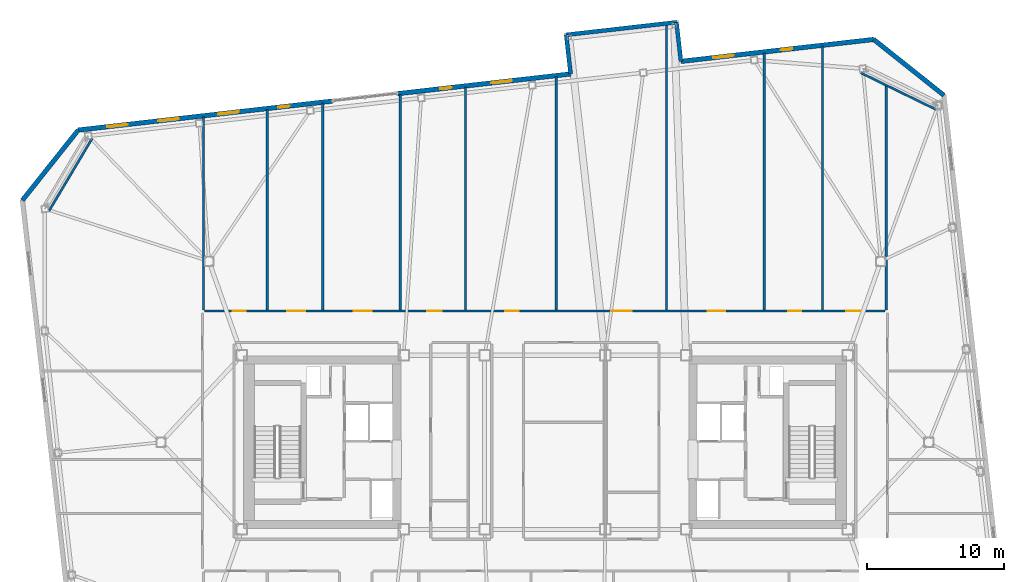
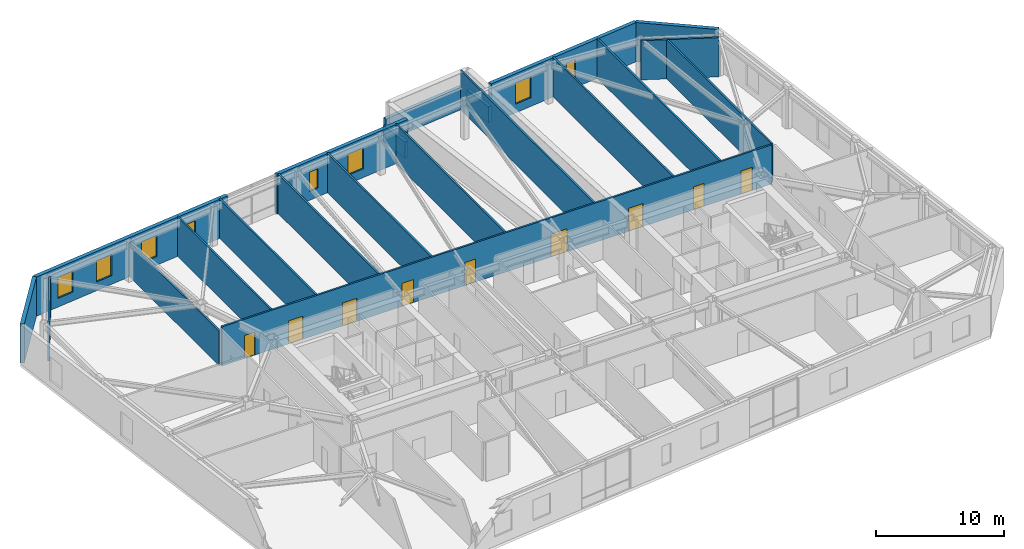
# One storey, part 15 of 19: 21 walls, 9 doors, 8 windows, 17 openings.
"""IFC4 building model written with IfcOpenShell, lengths in metres."""

from ifc_helpers import new_model, si_unit, direction, frame, frame_2d, origin, place, context, subcontext, project, spatial, rectangle, extrude, material, layer, layer_set, type_object, element, fill, save


model = new_model("IFC4")

# Units and contexts
model_context = context("Model", 3, precision=1e-05, world=origin(), true_north=direction((0.0, 1.0)))
body_context = subcontext(model_context, "Body", "Model", "MODEL_VIEW")
ifc_project = project(units=[si_unit("LENGTHUNIT", "METRE"), si_unit("AREAUNIT", "SQUARE_METRE"), si_unit("VOLUMEUNIT", "CUBIC_METRE"), si_unit("PLANEANGLEUNIT", "RADIAN"), si_unit("MASSUNIT", "GRAM", prefix="KILO")], contexts=[model_context])

# Site, building, storey
site_placement = place(None, origin())
site = spatial("IfcSite", under=ifc_project, at=site_placement, CompositionType="ELEMENT")
building_placement = place(site_placement, origin())
building = spatial("IfcBuilding", under=site, at=building_placement, Name="Tavrogorsk Clinical Tower", CompositionType="ELEMENT")
storey_placement = place(building_placement, frame((0.0, 0.0, 243.0)))
storey = spatial("IfcBuildingStorey", under=building, at=storey_placement, Name="L56", CompositionType="ELEMENT", Elevation=243.0)

# Walls
ifc_material_1 = material(Name="Lightweight concrete blockwork B15", Category="masonry")
ifc_layer_1 = layer(ifc_material_1, 0.159912109375)
ifc_layer_set_1 = layer_set([ifc_layer_1], Name="Lightweight concrete blockwork B15")
wall_type_1 = type_object("IfcWallType", Name="PartitionWall_160", PredefinedType="PARTITIONING", material=ifc_layer_set_1)
wall_1_placement = place(storey_placement, frame((28.5283203125, 24.27099609375, 0.0), z_axis=(0.0, 0.0, 1.0), x_axis=(-0.898820692789, 0.438316509173, 0.0)))
element("IfcWall", 1, at=wall_1_placement, inside=storey, type_object=wall_type_1, Name="L56 Corner Exoskeleton Brace Furring Wall 2", PredefinedType="PARTITIONING", context=body_context, shape_type="SweptSolid", body=[
    extrude(rectangle(XDim=6.10693359375, YDim=0.159912109375, at=frame_2d((3.053466796875, 0.0))), origin(), (0.0, 0.0, 1.0), 3.739990234375),
])
wall_2_placement = place(storey_placement, frame((-33.016357421875, 22.17138671875, 0.0), z_axis=(0.0, 0.0, 1.0), x_axis=(-0.511385266265, -0.859351563359, 0.0)))
element("IfcWall", 2, at=wall_2_placement, inside=storey, type_object=wall_type_1, Name="L56 Corner Exoskeleton Brace Furring Wall 3", PredefinedType="PARTITIONING", context=body_context, shape_type="SweptSolid", body=[
    extrude(rectangle(XDim=6.181884765625, YDim=0.159912109375, at=frame_2d((3.0908203125, 0.0))), origin(), (0.0, 0.0, 1.0), 3.739990234375),
])

# Wall, openings, doors
wall_3_placement = place(storey_placement, frame((-24.81494140625, 9.580078125, 0.0), z_axis=(0.0, 0.0, 1.0), x_axis=(1.0, 0.0, 0.0)))
wall_3 = element("IfcWall", 3, at=wall_3_placement, inside=storey, type_object=wall_type_1, Name="L56 Corridor Partition 02", PredefinedType="PARTITIONING", context=body_context, shape_type="SweptSolid", body=[
    extrude(rectangle(XDim=49.6298828125, YDim=0.159912109375, at=frame_2d((24.81494140625, 0.0))), origin(), (0.0, 0.0, 1.0), 3.739990234375),
])
opening_1_placement = place(wall_3_placement, frame((2.044189453125, 0.0, 0.0)))
opening_1 = element("IfcOpeningElement", 4, at=opening_1_placement, cuts=wall_3, Name="Opening ID-02", PredefinedType="OPENING", context=body_context, shape_type="SweptSolid", body=[
    extrude(rectangle(XDim=0.949951171875, YDim=2.199951171875, at=frame_2d((0.47509765625, 1.10009765625))), frame((0.0, 0.08984375, 0.0), z_axis=(0.0, -1.0, 0.0), x_axis=(1.0, 0.0, 0.0)), (0.0, 0.0, 1.0), 0.179931640625),
])
opening_2_placement = place(wall_3_placement, frame((6.02490234375, 0.0, 0.0)))
opening_2 = element("IfcOpeningElement", 5, at=opening_2_placement, cuts=wall_3, Name="Opening ID-01", PredefinedType="OPENING", context=body_context, shape_type="SweptSolid", body=[
    extrude(rectangle(XDim=1.300048828125, YDim=2.199951171875, at=frame_2d((0.64990234375, 1.10009765625))), frame((0.0, 0.08984375, 0.0), z_axis=(0.0, -1.0, 0.0), x_axis=(1.0, 0.0, 0.0)), (0.0, 0.0, 1.0), 0.179931640625),
])
opening_3_placement = place(wall_3_placement, frame((10.875, 0.0, 0.0)))
opening_3 = element("IfcOpeningElement", 6, at=opening_3_placement, cuts=wall_3, Name="Opening ID-01", PredefinedType="OPENING", context=body_context, shape_type="SweptSolid", body=[
    extrude(rectangle(XDim=1.300048828125, YDim=2.199951171875, at=frame_2d((0.64990234375, 1.10009765625))), frame((0.0, 0.08984375, 0.0), z_axis=(0.0, -1.0, 0.0), x_axis=(1.0, 0.0, 0.0)), (0.0, 0.0, 1.0), 0.179931640625),
])
opening_4_placement = place(wall_3_placement, frame((16.25, 0.0, 0.0)))
opening_4 = element("IfcOpeningElement", 7, at=opening_4_placement, cuts=wall_3, Name="Opening ID-04", PredefinedType="OPENING", context=body_context, shape_type="SweptSolid", body=[
    extrude(rectangle(XDim=1.050048828125, YDim=2.199951171875, at=frame_2d((0.52490234375, 1.10009765625))), frame((0.0, 0.08984375, 0.0), z_axis=(0.0, -1.0, 0.0), x_axis=(1.0, 0.0, 0.0)), (0.0, 0.0, 1.0), 0.179931640625),
])
opening_5_placement = place(wall_3_placement, frame((21.93994140625, 0.0, 0.0)))
opening_5 = element("IfcOpeningElement", 8, at=opening_5_placement, cuts=wall_3, Name="Opening ID-02", PredefinedType="OPENING", context=body_context, shape_type="SweptSolid", body=[
    extrude(rectangle(XDim=0.949951171875, YDim=2.199951171875, at=frame_2d((0.47509765625, 1.10009765625))), frame((0.0, 0.08984375, 0.0), z_axis=(0.0, -1.0, 0.0), x_axis=(1.0, 0.0, 0.0)), (0.0, 0.0, 1.0), 0.179931640625),
])
opening_6_placement = place(wall_3_placement, frame((29.697509765625, 0.0, 0.0)))
opening_6 = element("IfcOpeningElement", 9, at=opening_6_placement, cuts=wall_3, Name="Opening ID-05", PredefinedType="OPENING", context=body_context, shape_type="SweptSolid", body=[
    extrude(rectangle(XDim=1.449951171875, YDim=2.199951171875, at=frame_2d((0.72509765625, 1.10009765625))), frame((0.0, 0.08984375, 0.0), z_axis=(0.0, -1.0, 0.0), x_axis=(1.0, 0.0, 0.0)), (0.0, 0.0, 1.0), 0.179931640625),
])
opening_7_placement = place(wall_3_placement, frame((36.6826171875, 0.0, 0.0)))
opening_7 = element("IfcOpeningElement", 10, at=opening_7_placement, cuts=wall_3, Name="Opening ID-01", PredefinedType="OPENING", context=body_context, shape_type="SweptSolid", body=[
    extrude(rectangle(XDim=1.300048828125, YDim=2.199951171875, at=frame_2d((0.64990234375, 1.10009765625))), frame((0.0, 0.08984375, 0.0), z_axis=(0.0, -1.0, 0.0), x_axis=(1.0, 0.0, 0.0)), (0.0, 0.0, 1.0), 0.179931640625),
])
opening_8_placement = place(wall_3_placement, frame((42.550048828125, 0.0, 0.0)))
opening_8 = element("IfcOpeningElement", 11, at=opening_8_placement, cuts=wall_3, Name="Opening ID-02", PredefinedType="OPENING", context=body_context, shape_type="SweptSolid", body=[
    extrude(rectangle(XDim=0.949951171875, YDim=2.199951171875, at=frame_2d((0.47509765625, 1.10009765625))), frame((0.0, 0.08984375, 0.0), z_axis=(0.0, -1.0, 0.0), x_axis=(1.0, 0.0, 0.0)), (0.0, 0.0, 1.0), 0.179931640625),
])
opening_9_placement = place(wall_3_placement, frame((46.805908203125, 0.0, 0.0)))
opening_9 = element("IfcOpeningElement", 12, at=opening_9_placement, cuts=wall_3, Name="Opening ID-04", PredefinedType="OPENING", context=body_context, shape_type="SweptSolid", body=[
    extrude(rectangle(XDim=1.050048828125, YDim=2.199951171875, at=frame_2d((0.52490234375, 1.10009765625))), frame((0.0, 0.08984375, 0.0), z_axis=(0.0, -1.0, 0.0), x_axis=(1.0, 0.0, 0.0)), (0.0, 0.0, 1.0), 0.179931640625),
])
ifc_material_2 = material(Name="Antibacterial HPL consultation door on aluminium frame", Category="aluminium")
door_type_1 = type_object("IfcDoorType", Name="ConsultDoor_ID04_1050", OperationType="NOTDEFINED", PredefinedType="DOOR", material=ifc_material_2)
door_1_placement = place(opening_4_placement, origin())
door_1 = element("IfcDoor", 13, at=door_1_placement, inside=storey, type_object=door_type_1, Name="L56 North Physician Consultation Office 03B Door", OperationType="SINGLE_SWING_RIGHT", OverallHeight=2.199951171875, OverallWidth=1.050048828125, PredefinedType="DOOR", context=body_context, shape_type="SweptSolid", body=[
    extrude(rectangle(XDim=1.050048828125, YDim=2.199951171875, at=frame_2d((0.52490234375, 1.10009765625))), frame((0.0, 0.02490234375, 0.0), z_axis=(0.0, -1.0, 0.0), x_axis=(1.0, 0.0, 0.0)), (0.0, 0.0, 1.0), 0.050048828125),
])
fill(opening_4, door_1)
door_2_placement = place(opening_9_placement, origin())
door_2 = element("IfcDoor", 14, at=door_2_placement, inside=storey, type_object=door_type_1, Name="L56 North Diagnostic Ultrasound Suite 07 Door", OperationType="SINGLE_SWING_LEFT", OverallHeight=2.199951171875, OverallWidth=1.050048828125, PredefinedType="DOOR", context=body_context, shape_type="SweptSolid", body=[
    extrude(rectangle(XDim=1.050048828125, YDim=2.199951171875, at=frame_2d((0.52490234375, 1.10009765625))), frame((0.0, 0.02490234375, 0.0), z_axis=(0.0, -1.0, 0.0), x_axis=(1.0, 0.0, 0.0)), (0.0, 0.0, 1.0), 0.050048828125),
])
fill(opening_9, door_2)
ifc_material_3 = material(Name="Antibacterial HPL bariatric ward double door")
door_type_2 = type_object("IfcDoorType", Name="DoubleWardDoor_ID05_1450", OperationType="DOUBLE_SWING_LEFT", PredefinedType="DOOR", material=ifc_material_3)
door_3_placement = place(opening_6_placement, origin())
door_3 = element("IfcDoor", 15, at=door_3_placement, inside=storey, type_object=door_type_2, Name="L56 North Inpatient Clinical Ward 05A Door", OperationType="DOUBLE_SWING_LEFT", OverallHeight=2.199951171875, OverallWidth=1.449951171875, PredefinedType="DOOR", context=body_context, shape_type="SweptSolid", body=[
    extrude(rectangle(XDim=1.449951171875, YDim=2.199951171875, at=frame_2d((0.72509765625, 1.10009765625))), frame((0.0, 0.02490234375, 0.0), z_axis=(0.0, -1.0, 0.0), x_axis=(1.0, 0.0, 0.0)), (0.0, 0.0, 1.0), 0.050048828125),
])
fill(opening_6, door_3)
ifc_material_4 = material(Name="Laminated timber leaf on aluminium frame", Category="wood")
door_type_3 = type_object("IfcDoorType", Name="InteriorDoor_ID02_950", OperationType="NOTDEFINED", PredefinedType="DOOR", material=ifc_material_4)
door_4_placement = place(opening_1_placement, origin())
door_4 = element("IfcDoor", 16, at=door_4_placement, inside=storey, type_object=door_type_3, Name="L56 North Patient & Family Quiet Lounge 01 Door", OperationType="SINGLE_SWING_LEFT", OverallHeight=2.199951171875, OverallWidth=0.949951171875, PredefinedType="DOOR", context=body_context, shape_type="SweptSolid", body=[
    extrude(rectangle(XDim=0.949951171875, YDim=2.199951171875, at=frame_2d((0.47509765625, 1.10009765625))), frame((0.0, 0.02490234375, 0.0), z_axis=(0.0, -1.0, 0.0), x_axis=(1.0, 0.0, 0.0)), (0.0, 0.0, 1.0), 0.050048828125),
])
fill(opening_1, door_4)
door_5_placement = place(opening_5_placement, origin())
door_5 = element("IfcDoor", 17, at=door_5_placement, inside=storey, type_object=door_type_3, Name="L56 North Multidisciplinary Case Room 04 Door", OperationType="SINGLE_SWING_LEFT", OverallHeight=2.199951171875, OverallWidth=0.949951171875, PredefinedType="DOOR", context=body_context, shape_type="SweptSolid", body=[
    extrude(rectangle(XDim=0.949951171875, YDim=2.199951171875, at=frame_2d((0.47509765625, 1.10009765625))), frame((0.0, 0.02490234375, 0.0), z_axis=(0.0, -1.0, 0.0), x_axis=(1.0, 0.0, 0.0)), (0.0, 0.0, 1.0), 0.050048828125),
])
fill(opening_5, door_5)
door_6_placement = place(opening_8_placement, origin())
door_6 = element("IfcDoor", 18, at=door_6_placement, inside=storey, type_object=door_type_3, Name="L56 North Clinical Examination Suite 06 Door", OperationType="SINGLE_SWING_RIGHT", OverallHeight=2.199951171875, OverallWidth=0.949951171875, PredefinedType="DOOR", context=body_context, shape_type="SweptSolid", body=[
    extrude(rectangle(XDim=0.949951171875, YDim=2.199951171875, at=frame_2d((0.47509765625, 1.10009765625))), frame((0.0, 0.02490234375, 0.0), z_axis=(0.0, -1.0, 0.0), x_axis=(1.0, 0.0, 0.0)), (0.0, 0.0, 1.0), 0.050048828125),
])
fill(opening_8, door_6)
ifc_material_5 = material(Name="Antibacterial HPL medical leaf on aluminium frame", Category="aluminium")
door_type_4 = type_object("IfcDoorType", Name="WardBedDoor_ID01_1300", OperationType="NOTDEFINED", PredefinedType="DOOR", material=ifc_material_5)
door_7_placement = place(opening_2_placement, origin())
door_7 = element("IfcDoor", 19, at=door_7_placement, inside=storey, type_object=door_type_4, Name="L56 North Acute Isolation Suite 02 Door", OperationType="SINGLE_SWING_RIGHT", OverallHeight=2.199951171875, OverallWidth=1.300048828125, PredefinedType="DOOR", context=body_context, shape_type="SweptSolid", body=[
    extrude(rectangle(XDim=1.300048828125, YDim=2.199951171875, at=frame_2d((0.64990234375, 1.10009765625))), frame((0.0, 0.02490234375, 0.0), z_axis=(0.0, -1.0, 0.0), x_axis=(1.0, 0.0, 0.0)), (0.0, 0.0, 1.0), 0.050048828125),
])
fill(opening_2, door_7)
door_8_placement = place(opening_3_placement, origin())
door_8 = element("IfcDoor", 20, at=door_8_placement, inside=storey, type_object=door_type_4, Name="L56 North Sub-Acute Recovery Ward 03A Door", OperationType="SINGLE_SWING_LEFT", OverallHeight=2.199951171875, OverallWidth=1.300048828125, PredefinedType="DOOR", context=body_context, shape_type="SweptSolid", body=[
    extrude(rectangle(XDim=1.300048828125, YDim=2.199951171875, at=frame_2d((0.64990234375, 1.10009765625))), frame((0.0, 0.02490234375, 0.0), z_axis=(0.0, -1.0, 0.0), x_axis=(1.0, 0.0, 0.0)), (0.0, 0.0, 1.0), 0.050048828125),
])
fill(opening_3, door_8)
door_9_placement = place(opening_7_placement, origin())
door_9 = element("IfcDoor", 21, at=door_9_placement, inside=storey, type_object=door_type_4, Name="L56 North Acute Isolation Suite 05B Door", OperationType="SINGLE_SWING_LEFT", OverallHeight=2.199951171875, OverallWidth=1.300048828125, PredefinedType="DOOR", context=body_context, shape_type="SweptSolid", body=[
    extrude(rectangle(XDim=1.300048828125, YDim=2.199951171875, at=frame_2d((0.64990234375, 1.10009765625))), frame((0.0, 0.02490234375, 0.0), z_axis=(0.0, -1.0, 0.0), x_axis=(1.0, 0.0, 0.0)), (0.0, 0.0, 1.0), 0.050048828125),
])
fill(opening_7, door_9)

# Walls
wall_4_placement = place(storey_placement, frame((-24.89990234375, 9.6650390625, 0.0), z_axis=(0.0, 0.0, 1.0), x_axis=(0.0, 1.0, 0.0)))
element("IfcWall", 22, at=wall_4_placement, inside=storey, type_object=wall_type_1, Name="L56 NW Wing Closure Partition", PredefinedType="PARTITIONING", context=body_context, shape_type="SweptSolid", body=[
    extrude(rectangle(XDim=14.081298828125, YDim=0.159912109375, at=frame_2d((7.04052734375, 0.0))), origin(), (0.0, 0.0, 1.0), 3.284912109375),
])
wall_5_placement = place(storey_placement, frame((24.89990234375, 9.6650390625, 0.0), z_axis=(0.0, 0.0, 1.0), x_axis=(0.0, 1.0, 0.0)))
element("IfcWall", 23, at=wall_5_placement, inside=storey, type_object=wall_type_1, Name="L56 NE Wing Closure Partition", PredefinedType="PARTITIONING", context=body_context, shape_type="SweptSolid", body=[
    extrude(rectangle(XDim=16.37939453125, YDim=0.159912109375, at=frame_2d((8.189697265625, 0.0))), origin(), (0.0, 0.0, 1.0), 3.739990234375),
])
wall_6_placement = place(storey_placement, frame((-20.25, 9.6650390625, 0.0), z_axis=(0.0, 0.0, 1.0), x_axis=(0.0, 1.0, 0.0)))
element("IfcWall", 24, at=wall_6_placement, inside=storey, type_object=wall_type_1, Name="L56 North Room Partition 1", PredefinedType="PARTITIONING", context=body_context, shape_type="SweptSolid", body=[
    extrude(rectangle(XDim=14.611083984375, YDim=0.159912109375, at=frame_2d((7.3056640625, 0.0))), origin(), (0.0, 0.0, 1.0), 3.739990234375),
])
wall_7_placement = place(storey_placement, frame((-16.199951171875, 9.6650390625, 0.0), z_axis=(0.0, 0.0, 1.0), x_axis=(0.0, 1.0, 0.0)))
element("IfcWall", 25, at=wall_7_placement, inside=storey, type_object=wall_type_1, Name="L56 North Room Partition 2", PredefinedType="PARTITIONING", context=body_context, shape_type="SweptSolid", body=[
    extrude(rectangle(XDim=15.072509765625, YDim=0.159912109375, at=frame_2d((7.5361328125, 0.0))), origin(), (0.0, 0.0, 1.0), 3.739990234375),
])
wall_8_placement = place(storey_placement, frame((-5.800048828125, 9.6650390625, 0.0), z_axis=(0.0, 0.0, 1.0), x_axis=(0.0, 1.0, 0.0)))
element("IfcWall", 26, at=wall_8_placement, inside=storey, type_object=wall_type_1, Name="L56 North Room Partition 3", PredefinedType="PARTITIONING", context=body_context, shape_type="SweptSolid", body=[
    extrude(rectangle(XDim=16.257568359375, YDim=0.159912109375, at=frame_2d((8.12890625, 0.0))), origin(), (0.0, 0.0, 1.0), 3.739990234375),
])
wall_9_placement = place(storey_placement, frame((0.830078125, 9.6650390625, 0.0), z_axis=(0.0, 0.0, 1.0), x_axis=(0.0, 1.0, 0.0)))
element("IfcWall", 27, at=wall_9_placement, inside=storey, type_object=wall_type_1, Name="L56 North Room Partition 4", PredefinedType="PARTITIONING", context=body_context, shape_type="SweptSolid", body=[
    extrude(rectangle(XDim=17.012939453125, YDim=0.159912109375, at=frame_2d((8.50634765625, 0.0))), origin(), (0.0, 0.0, 1.0), 3.739990234375),
])
wall_10_placement = place(storey_placement, frame((16.0, 9.6650390625, 0.0), z_axis=(0.0, 0.0, 1.0), x_axis=(0.0, 1.0, 0.0)))
element("IfcWall", 28, at=wall_10_placement, inside=storey, type_object=wall_type_1, Name="L56 North Room Partition 5", PredefinedType="PARTITIONING", context=body_context, shape_type="SweptSolid", body=[
    extrude(rectangle(XDim=18.7412109375, YDim=0.159912109375, at=frame_2d((9.37060546875, 0.0))), origin(), (0.0, 0.0, 1.0), 3.739990234375),
])
wall_11_placement = place(storey_placement, frame((20.25, 9.6650390625, 0.0), z_axis=(0.0, 0.0, 1.0), x_axis=(0.0, 1.0, 0.0)))
element("IfcWall", 29, at=wall_11_placement, inside=storey, type_object=wall_type_1, Name="L56 North Room Partition 6", PredefinedType="PARTITIONING", context=body_context, shape_type="SweptSolid", body=[
    extrude(rectangle(XDim=19.225341796875, YDim=0.159912109375, at=frame_2d((9.61279296875, 0.0))), origin(), (0.0, 0.0, 1.0), 3.739990234375),
])
wall_12_placement = place(storey_placement, frame((-10.550048828125, 9.6650390625, 0.0), z_axis=(0.0, 0.0, 1.0), x_axis=(0.0, 1.0, 0.0)))
element("IfcWall", 30, at=wall_12_placement, inside=storey, type_object=wall_type_1, Name="L56 North Sub-Partition 3", PredefinedType="PARTITIONING", context=body_context, shape_type="SweptSolid", body=[
    extrude(rectangle(XDim=15.71630859375, YDim=0.159912109375, at=frame_2d((7.858154296875, 0.0))), origin(), (0.0, 0.0, 1.0), 3.739990234375),
])
wall_13_placement = place(storey_placement, frame((8.864990234375, 9.6650390625, 0.0), z_axis=(0.0, 0.0, 1.0), x_axis=(0.0, 1.0, 0.0)))
element("IfcWall", 31, at=wall_13_placement, inside=storey, type_object=wall_type_1, Name="L56 North Sub-Partition 5", PredefinedType="PARTITIONING", context=body_context, shape_type="SweptSolid", body=[
    extrude(rectangle(XDim=20.796875, YDim=0.159912109375, at=frame_2d((10.3984375, 0.0))), origin(), (0.0, 0.0, 1.0), 3.739990234375),
])

# Wall, openings, windows
ifc_material_6 = material(Name="Precast concrete B45 with limestone cladding", Category="masonry")
ifc_layer_2 = layer(ifc_material_6, 0.340087890625)
ifc_layer_set_2 = layer_set([ifc_layer_2], Name="Precast concrete B45 with limestone cladding")
wall_type_2 = type_object("IfcWallType", Name="PrecastLimestoneWall_340", PredefinedType="STANDARD", material=ifc_layer_set_2)
wall_14_placement = place(storey_placement, frame((23.982666015625, 29.38623046875, 0.0), z_axis=(0.0, 0.0, 1.0), x_axis=(-0.993572041858, -0.113201579666, 0.0)))
wall_14 = element("IfcWall", 32, at=wall_14_placement, inside=storey, type_object=wall_type_2, Name="L56 N Limestone Facade Wall 1", PredefinedType="STANDARD", context=body_context, shape_type="SweptSolid", body=[
    extrude(rectangle(XDim=14.150146484375, YDim=0.340087890625, at=frame_2d((7.0751953125, 0.0))), origin(), (0.0, 0.0, 1.0), 3.739990234375),
])
opening_10_placement = place(wall_14_placement, frame((10.27880859375, 0.0, 0.830078125)))
opening_10 = element("IfcOpeningElement", 33, at=opening_10_placement, cuts=wall_14, Name="Opening WN-05", PredefinedType="OPENING", context=body_context, shape_type="SweptSolid", body=[
    extrude(rectangle(XDim=1.5, YDim=2.0, at=frame_2d((0.75, 1.0))), frame((0.0, 0.179931640625, 0.0), z_axis=(0.0, -1.0, 0.0), x_axis=(1.0, 0.0, 0.0)), (0.0, 0.0, 1.0), 0.360107421875),
])
opening_11_placement = place(wall_14_placement, frame((5.97314453125, 0.0, 0.830078125)))
opening_11 = element("IfcOpeningElement", 34, at=opening_11_placement, cuts=wall_14, Name="Opening WN-06", PredefinedType="OPENING", context=body_context, shape_type="SweptSolid", body=[
    extrude(rectangle(XDim=0.85009765625, YDim=1.85009765625, at=frame_2d((0.425048828125, 0.925048828125))), frame((0.0, 0.179931640625, 0.0), z_axis=(0.0, -1.0, 0.0), x_axis=(1.0, 0.0, 0.0)), (0.0, 0.0, 1.0), 0.360107421875),
])
ifc_material_7 = material(Name="Thermally broken aluminium frame and triple IGU", Category="aluminium")
window_type_1 = type_object("IfcWindowType", Name="ConsultWin_1500x2000", PartitioningType="SINGLE_PANEL", PredefinedType="WINDOW", material=ifc_material_7)
window_1_placement = place(opening_10_placement, origin())
window_1 = element("IfcWindow", 35, at=window_1_placement, inside=storey, type_object=window_type_1, Name="L56 N Chicago Window 08", OverallHeight=2.0, OverallWidth=1.5, PartitioningType="SINGLE_PANEL", PredefinedType="WINDOW", context=body_context, shape_type="SweptSolid", body=[
    extrude(rectangle(XDim=1.5, YDim=2.0, at=frame_2d((0.75, 1.0))), frame((0.0, 0.030029296875, 0.0), z_axis=(0.0, -1.0, 0.0), x_axis=(1.0, 0.0, 0.0)), (0.0, 0.0, 1.0), 0.06005859375),
])
fill(opening_10, window_1)
ifc_material_8 = material(Name="Thermally broken aluminium frame and triple IGU", Category="aluminium")
window_type_2 = type_object("IfcWindowType", Name="MullionSubWin_850x1850", PartitioningType="SINGLE_PANEL", PredefinedType="WINDOW", material=ifc_material_8)
window_2_placement = place(opening_11_placement, origin())
window_2 = element("IfcWindow", 36, at=window_2_placement, inside=storey, type_object=window_type_2, Name="L56 N Mullion Split Window 09A", OverallHeight=1.85009765625, OverallWidth=0.85009765625, PartitioningType="SINGLE_PANEL", PredefinedType="WINDOW", context=body_context, shape_type="SweptSolid", body=[
    extrude(rectangle(XDim=0.85009765625, YDim=1.85009765625, at=frame_2d((0.425048828125, 0.925048828125))), frame((0.0, 0.030029296875, 0.0), z_axis=(0.0, -1.0, 0.0), x_axis=(1.0, 0.0, 0.0)), (0.0, 0.0, 1.0), 0.06005859375),
])
fill(opening_11, window_2)

wall_15_placement = place(storey_placement, frame((1.87548828125, 26.867431640625, 0.0), z_axis=(0.0, 0.0, 1.0), x_axis=(-0.993572024997, -0.113201727649, 0.0)))
wall_15 = element("IfcWall", 37, at=wall_15_placement, inside=storey, type_object=wall_type_2, Name="L56 N Limestone Facade Wall 2", PredefinedType="STANDARD", context=body_context, shape_type="SweptSolid", body=[
    extrude(rectangle(XDim=12.698486328125, YDim=0.340087890625, at=frame_2d((6.34912109375, 0.0))), origin(), (0.0, 0.0, 1.0), 3.739990234375),
])
opening_12_placement = place(wall_15_placement, frame((8.72412109375, 0.0, 0.830078125)))
opening_12 = element("IfcOpeningElement", 38, at=opening_12_placement, cuts=wall_15, Name="Opening WN-06", PredefinedType="OPENING", context=body_context, shape_type="SweptSolid", body=[
    extrude(rectangle(XDim=0.85009765625, YDim=1.85009765625, at=frame_2d((0.425048828125, 0.925048828125))), frame((0.0, 0.179931640625, 0.0), z_axis=(0.0, -1.0, 0.0), x_axis=(1.0, 0.0, 0.0)), (0.0, 0.0, 1.0), 0.360107421875),
])
opening_13_placement = place(wall_15_placement, frame((4.32568359375, 0.0, 0.830078125)))
opening_13 = element("IfcOpeningElement", 39, at=opening_13_placement, cuts=wall_15, Name="Opening WN-05", PredefinedType="OPENING", context=body_context, shape_type="SweptSolid", body=[
    extrude(rectangle(XDim=1.5, YDim=2.0, at=frame_2d((0.75, 1.0))), frame((0.0, 0.179931640625, 0.0), z_axis=(0.0, -1.0, 0.0), x_axis=(1.0, 0.0, 0.0)), (0.0, 0.0, 1.0), 0.360107421875),
])
window_3_placement = place(opening_13_placement, origin())
window_3 = element("IfcWindow", 40, at=window_3_placement, inside=storey, type_object=window_type_1, Name="L56 N Chicago Window 06", OverallHeight=2.0, OverallWidth=1.5, PartitioningType="SINGLE_PANEL", PredefinedType="WINDOW", context=body_context, shape_type="SweptSolid", body=[
    extrude(rectangle(XDim=1.5, YDim=2.0, at=frame_2d((0.75, 1.0))), frame((0.0, 0.030029296875, 0.0), z_axis=(0.0, -1.0, 0.0), x_axis=(1.0, 0.0, 0.0)), (0.0, 0.0, 1.0), 0.06005859375),
])
fill(opening_13, window_3)
window_4_placement = place(opening_12_placement, origin())
window_4 = element("IfcWindow", 41, at=window_4_placement, inside=storey, type_object=window_type_2, Name="L56 N Mullion Split Window 05B", OverallHeight=1.85009765625, OverallWidth=0.85009765625, PartitioningType="SINGLE_PANEL", PredefinedType="WINDOW", context=body_context, shape_type="SweptSolid", body=[
    extrude(rectangle(XDim=0.85009765625, YDim=1.85009765625, at=frame_2d((0.425048828125, 0.925048828125))), frame((0.0, 0.030029296875, 0.0), z_axis=(0.0, -1.0, 0.0), x_axis=(1.0, 0.0, 0.0)), (0.0, 0.0, 1.0), 0.06005859375),
])
fill(opening_12, window_4)

wall_16_placement = place(storey_placement, frame((-15.510498046875, 24.886474609375, 0.0), z_axis=(0.0, 0.0, 1.0), x_axis=(-0.993572271362, -0.113199565282, 0.0)))
wall_16 = element("IfcWall", 42, at=wall_16_placement, inside=storey, type_object=wall_type_2, Name="L56 N Limestone Facade Wall 3", PredefinedType="STANDARD", context=body_context, shape_type="SweptSolid", body=[
    extrude(rectangle(XDim=18.6513671875, YDim=0.340087890625, at=frame_2d((9.32568359375, 0.0))), origin(), (0.0, 0.0, 1.0), 3.739990234375),
])
opening_14_placement = place(wall_16_placement, frame((15.021240234375, 0.0, 0.830078125)))
opening_14 = element("IfcOpeningElement", 43, at=opening_14_placement, cuts=wall_16, Name="Opening WN-05", PredefinedType="OPENING", context=body_context, shape_type="SweptSolid", body=[
    extrude(rectangle(XDim=1.5, YDim=2.0, at=frame_2d((0.75, 1.0))), frame((0.0, 0.179931640625, 0.0), z_axis=(0.0, -1.0, 0.0), x_axis=(1.0, 0.0, 0.0)), (0.0, 0.0, 1.0), 0.360107421875),
])
opening_15_placement = place(wall_16_placement, frame((11.27294921875, 0.0, 0.830078125)))
opening_15 = element("IfcOpeningElement", 44, at=opening_15_placement, cuts=wall_16, Name="Opening WN-05", PredefinedType="OPENING", context=body_context, shape_type="SweptSolid", body=[
    extrude(rectangle(XDim=1.5, YDim=2.0, at=frame_2d((0.75, 1.0))), frame((0.0, 0.179931640625, 0.0), z_axis=(0.0, -1.0, 0.0), x_axis=(1.0, 0.0, 0.0)), (0.0, 0.0, 1.0), 0.360107421875),
])
opening_16_placement = place(wall_16_placement, frame((6.872802734375, 0.0, 0.830078125)))
opening_16 = element("IfcOpeningElement", 45, at=opening_16_placement, cuts=wall_16, Name="Opening WN-05", PredefinedType="OPENING", context=body_context, shape_type="SweptSolid", body=[
    extrude(rectangle(XDim=1.5, YDim=2.0, at=frame_2d((0.75, 1.0))), frame((0.0, 0.179931640625, 0.0), z_axis=(0.0, -1.0, 0.0), x_axis=(1.0, 0.0, 0.0)), (0.0, 0.0, 1.0), 0.360107421875),
])
opening_17_placement = place(wall_16_placement, frame((3.12451171875, 0.0, 0.830078125)))
opening_17 = element("IfcOpeningElement", 46, at=opening_17_placement, cuts=wall_16, Name="Opening WN-06", PredefinedType="OPENING", context=body_context, shape_type="SweptSolid", body=[
    extrude(rectangle(XDim=0.85009765625, YDim=1.85009765625, at=frame_2d((0.425048828125, 0.925048828125))), frame((0.0, 0.179931640625, 0.0), z_axis=(0.0, -1.0, 0.0), x_axis=(1.0, 0.0, 0.0)), (0.0, 0.0, 1.0), 0.360107421875),
])
window_5_placement = place(opening_14_placement, origin())
window_5 = element("IfcWindow", 47, at=window_5_placement, inside=storey, type_object=window_type_1, Name="L56 N Chicago Window 01", OverallHeight=2.0, OverallWidth=1.5, PartitioningType="SINGLE_PANEL", PredefinedType="WINDOW", context=body_context, shape_type="SweptSolid", body=[
    extrude(rectangle(XDim=1.5, YDim=2.0, at=frame_2d((0.75, 1.0))), frame((0.0, 0.030029296875, 0.0), z_axis=(0.0, -1.0, 0.0), x_axis=(1.0, 0.0, 0.0)), (0.0, 0.0, 1.0), 0.06005859375),
])
fill(opening_14, window_5)
window_6_placement = place(opening_15_placement, origin())
window_6 = element("IfcWindow", 48, at=window_6_placement, inside=storey, type_object=window_type_1, Name="L56 N Chicago Window 02", OverallHeight=2.0, OverallWidth=1.5, PartitioningType="SINGLE_PANEL", PredefinedType="WINDOW", context=body_context, shape_type="SweptSolid", body=[
    extrude(rectangle(XDim=1.5, YDim=2.0, at=frame_2d((0.75, 1.0))), frame((0.0, 0.030029296875, 0.0), z_axis=(0.0, -1.0, 0.0), x_axis=(1.0, 0.0, 0.0)), (0.0, 0.0, 1.0), 0.06005859375),
])
fill(opening_15, window_6)
window_7_placement = place(opening_16_placement, origin())
window_7 = element("IfcWindow", 49, at=window_7_placement, inside=storey, type_object=window_type_1, Name="L56 N Chicago Window 03", OverallHeight=2.0, OverallWidth=1.5, PartitioningType="SINGLE_PANEL", PredefinedType="WINDOW", context=body_context, shape_type="SweptSolid", body=[
    extrude(rectangle(XDim=1.5, YDim=2.0, at=frame_2d((0.75, 1.0))), frame((0.0, 0.030029296875, 0.0), z_axis=(0.0, -1.0, 0.0), x_axis=(1.0, 0.0, 0.0)), (0.0, 0.0, 1.0), 0.06005859375),
])
fill(opening_16, window_7)
window_8_placement = place(opening_17_placement, origin())
window_8 = element("IfcWindow", 50, at=window_8_placement, inside=storey, type_object=window_type_2, Name="L56 N Mullion Split Window 04A", OverallHeight=1.85009765625, OverallWidth=0.85009765625, PartitioningType="SINGLE_PANEL", PredefinedType="WINDOW", context=body_context, shape_type="SweptSolid", body=[
    extrude(rectangle(XDim=0.85009765625, YDim=1.85009765625, at=frame_2d((0.425048828125, 0.925048828125))), frame((0.0, 0.030029296875, 0.0), z_axis=(0.0, -1.0, 0.0), x_axis=(1.0, 0.0, 0.0)), (0.0, 0.0, 1.0), 0.06005859375),
])
fill(opening_17, window_8)

# Walls
for number, where, z_axis, x_axis, name in (
    (51, (29.10693359375, 25.31005859375, 0.0), (0.0, 0.0, 1.0), (-0.78259733853, 0.62252823689, 0.0), "L56 Chamfered Corner Wall 2"),
    (52, (-34.0419921875, 22.775146484375, 0.0), (0.0, 0.0, 1.0), (-0.62252823689, -0.78259733853, 0.0), "L56 Chamfered Corner Wall 3"),
):
    element("IfcWall", number, at=place(storey_placement, frame(where, z_axis=z_axis, x_axis=x_axis)), inside=storey, type_object=wall_type_2, Name=name, PredefinedType="STANDARD", context=body_context, shape_type="SweptSolid", body=[
        extrude(rectangle(XDim=6.5478515625, YDim=0.340087890625, at=frame_2d((3.27392578125, 0.0))), origin(), (0.0, 0.0, 1.0), 3.739990234375),
    ])
wall_17_placement = place(storey_placement, frame((1.55078125, 29.718994140625, 0.0), z_axis=(0.0, 0.0, 1.0), x_axis=(0.993571087422, 0.113209956448, 0.0)))
element("IfcWall", 53, at=wall_17_placement, inside=storey, type_object=wall_type_2, Name="L56 Day-Room Limestone Front DRB-08", PredefinedType="STANDARD", context=body_context, shape_type="SweptSolid", body=[
    extrude(rectangle(XDim=8.099853515625, YDim=0.300048828125, at=frame_2d((4.0498046875, 0.0))), origin(), (0.0, 0.0, 1.0), 2.135009765625),
])
ifc_material_9 = material(Name="Precast concrete B45 with mineral wool", Category="concrete")
ifc_layer_3 = layer(ifc_material_9, 0.300048828125)
ifc_layer_set_3 = layer_set([ifc_layer_3], Name="Precast concrete B45 with mineral wool")
wall_type_3 = type_object("IfcWallType", Name="SpandrelBackWall_300", PredefinedType="STANDARD", material=ifc_layer_set_3)
for number, where, z_axis, x_axis, name in (
    (54, (1.875732421875, 26.867431640625, 0.0), (0.0, 0.0, 1.0), (-0.113222704107, 0.993569634839, 0.0), "L56 Day-Room Cheek Wall DRB-08-L"),
    (55, (9.923583984375, 27.784423828125, 0.0), (0.0, 0.0, 1.0), (-0.113222704107, 0.993569634839, 0.0), "L56 Day-Room Cheek Wall DRB-08-R"),
):
    element("IfcWall", number, at=place(storey_placement, frame(where, z_axis=z_axis, x_axis=x_axis)), inside=storey, type_object=wall_type_3, Name=name, PredefinedType="STANDARD", context=body_context, shape_type="SweptSolid", body=[
        extrude(rectangle(XDim=2.8701171875, YDim=0.300048828125, at=frame_2d((1.43505859375, 0.0))), origin(), (0.0, 0.0, 1.0), 1.534912109375),
    ])

save(model, "model.ifc")
